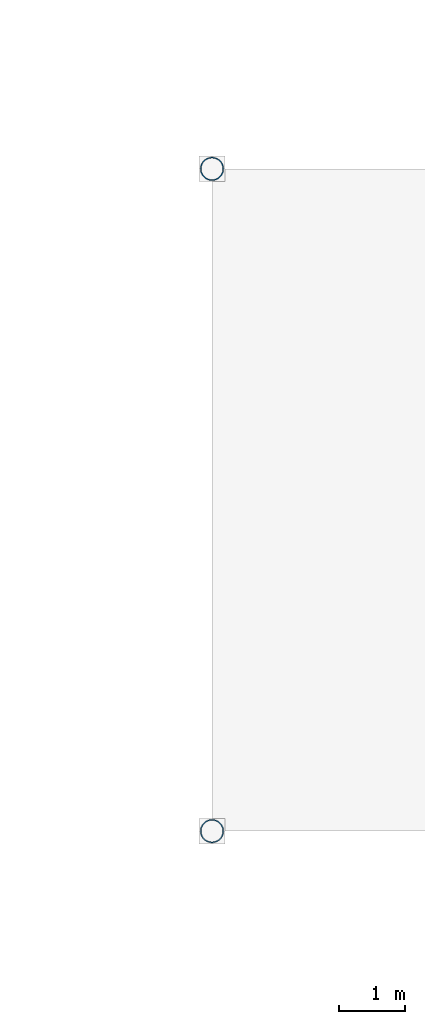
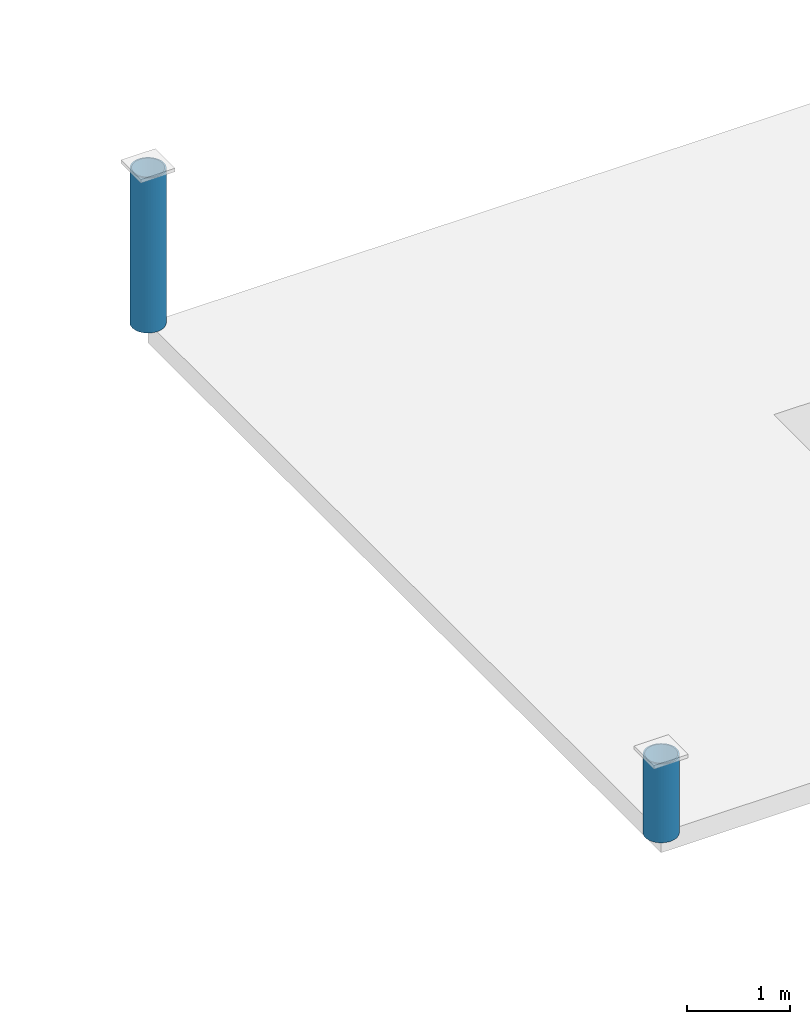
# One storey, part 3 of 23: 2 columns.
"""IFC4 building model written with IfcOpenShell, lengths in metres."""

from ifc_helpers import new_model, si_unit, direction, frame, origin, origin_2d, place, context, subcontext, project, spatial, hollow_circle, extrude, material, material_profile, profile_set, type_object, element, save


model = new_model("IFC4")

# Units and contexts
model_context = context("Model", 3, precision=1e-05, world=origin(), true_north=direction((0.0, 1.0)))
body_context = subcontext(model_context, "Body", "Model", "MODEL_VIEW")
ifc_project = project(units=[si_unit("LENGTHUNIT", "METRE"), si_unit("AREAUNIT", "SQUARE_METRE"), si_unit("VOLUMEUNIT", "CUBIC_METRE"), si_unit("PLANEANGLEUNIT", "RADIAN"), si_unit("MASSUNIT", "GRAM", prefix="KILO"), si_unit("THERMODYNAMICTEMPERATUREUNIT", "KELVIN"), si_unit("POWERUNIT", "WATT")], contexts=[model_context])

# Site, building, storey
site_placement = place(None, origin())
site = spatial("IfcSite", under=ifc_project, at=site_placement, CompositionType="ELEMENT")
building_placement = place(site_placement, origin())
building = spatial("IfcBuilding", under=site, at=building_placement, Name="Korenveer Ferry Terminal", CompositionType="ELEMENT")
storey_placement = place(building_placement, frame((0.0, 0.0, 14.39990234375)))
storey = spatial("IfcBuildingStorey", under=building, at=storey_placement, Name="L03", CompositionType="ELEMENT", Elevation=14.39990234375)

# Columns
ifc_material = material(Name="Steel S355", Category="steel")
ifc_material_profile = material_profile(ifc_material, hollow_circle(Radius=0.177734375, WallThickness=0.01611328125, at=origin_2d()), Name="CHS 355.6x16")
ifc_profile_set = profile_set([ifc_material_profile], Name="Steel S355")
column_type = type_object("IfcColumnType", Name="STR-COL-CHS355", PredefinedType="COLUMN", material=ifc_profile_set)
column_1_placement = place(storey_placement, frame((123.0, 70.0, 0.002197265625), z_axis=(0.0, 0.0, 1.0), x_axis=(1.0, 0.0, 0.0)))
element("IfcColumn", 1, at=column_1_placement, inside=storey, type_object=column_type, Name="Folded roof valley support column RCOL-X123-Y70", PredefinedType="COLUMN", context=body_context, shape_type="SweptSolid", body=[
    extrude(hollow_circle(Radius=0.177734375, WallThickness=0.01611328125, at=origin_2d()), origin(), (0.0, 0.0, 1.0), 0.936279296875),
])
column_2_placement = place(storey_placement, frame((123.0, 80.0, 0.002197265625), z_axis=(0.0, 0.0, 1.0), x_axis=(1.0, 0.0, 0.0)))
element("IfcColumn", 2, at=column_2_placement, inside=storey, type_object=column_type, Name="Folded roof valley support column RCOL-X123-Y80", PredefinedType="COLUMN", context=body_context, shape_type="SweptSolid", body=[
    extrude(hollow_circle(Radius=0.177734375, WallThickness=0.01611328125, at=origin_2d()), origin(), (0.0, 0.0, 1.0), 1.84423828125),
])

save(model, "model.ifc")
